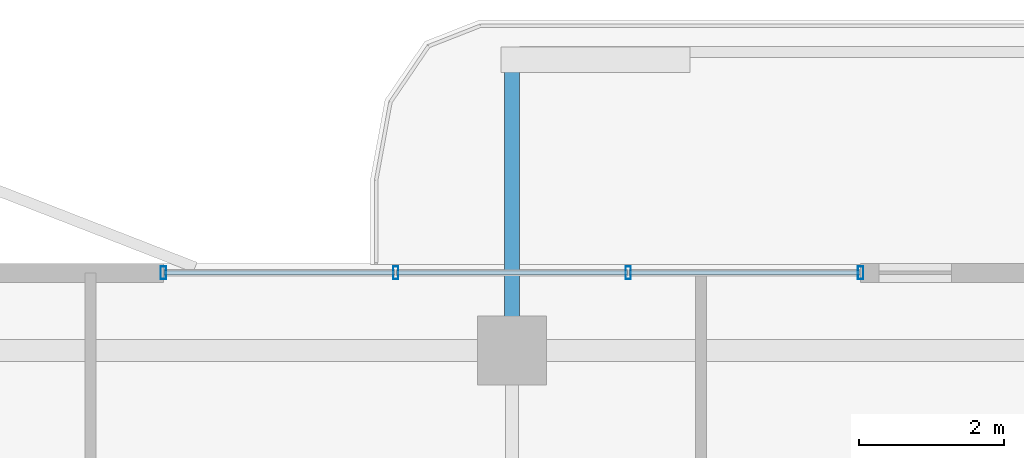
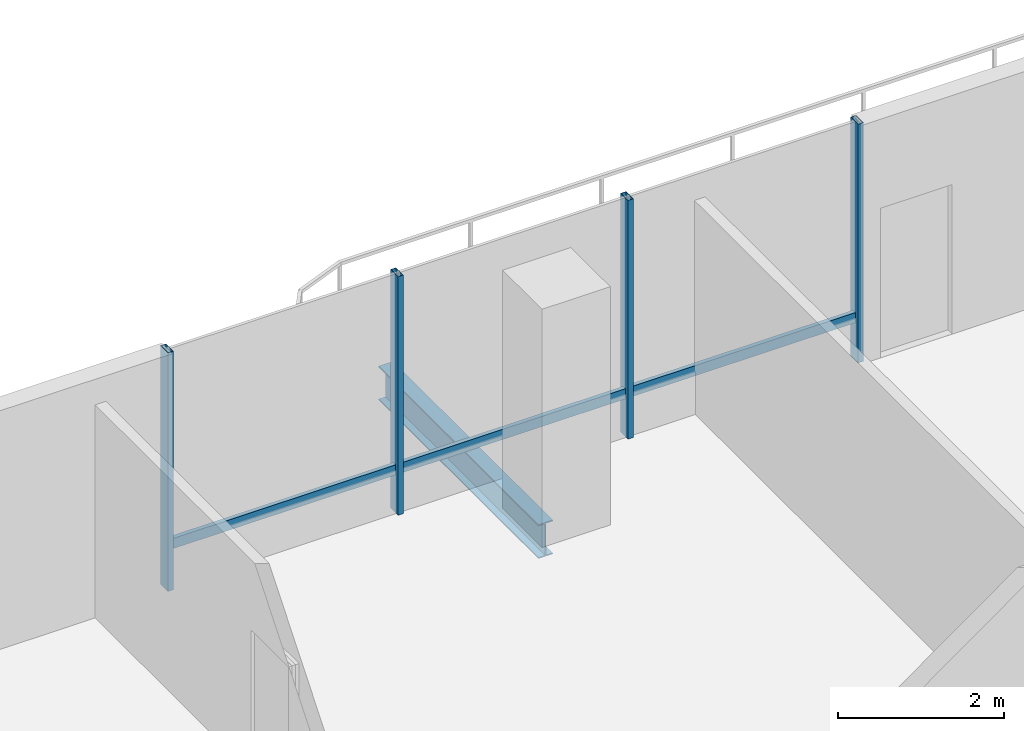
# One storey, part 10 of 17: 7 members, 1 beam, 1 element without a shape of its own.
"""IFC4 building model written with IfcOpenShell, lengths in metres."""

from ifc_helpers import new_model, si_unit, direction, frame, origin, origin_2d, place, context, subcontext, project, spatial, hollow_rectangle, i_section, extrude, material, layer, layer_set, material_profile, profile_set, type_object, element, aggregate, save


model = new_model("IFC4")

# Units and contexts
model_context = context("Model", 3, precision=1e-05, world=origin(), true_north=direction((0.0, 1.0)))
body_context = subcontext(model_context, "Body", "Model", "MODEL_VIEW")
ifc_project = project(units=[si_unit("LENGTHUNIT", "METRE"), si_unit("AREAUNIT", "SQUARE_METRE"), si_unit("VOLUMEUNIT", "CUBIC_METRE"), si_unit("PLANEANGLEUNIT", "RADIAN"), si_unit("MASSUNIT", "GRAM", prefix="KILO")], contexts=[model_context])

# Site, building, storey
site_placement = place(None, origin())
site = spatial("IfcSite", under=ifc_project, at=site_placement, CompositionType="ELEMENT")
building_placement = place(site_placement, origin())
building = spatial("IfcBuilding", under=site, at=building_placement, Name="Belovzor Exchange Tower", CompositionType="ELEMENT")
storey_placement = place(building_placement, frame((0.0, 0.0, 303.0)))
storey = spatial("IfcBuildingStorey", under=building, at=storey_placement, Name="L75", CompositionType="ELEMENT", Elevation=303.0)

# Beam
ifc_material_1 = material(Name="Steel S355", Category="steel")
ifc_material_profile_1 = material_profile(ifc_material_1, i_section(OverallWidth=0.199951171875, OverallDepth=0.5, WebThickness=0.01025390625, FlangeThickness=0.01611328125, at=origin_2d()))
ifc_profile_set_1 = profile_set([ifc_material_profile_1], Name="Steel S355")
beam_type = type_object("IfcBeamType", Name="Planted Balcony Cantilever Beam IPE 500", PredefinedType="BEAM", material=ifc_profile_set_1)
beam_placement = place(storey_placement, frame((28.800048828125, 50.660888671875, -0.489990234375), z_axis=(0.0, 1.0, 0.0), x_axis=(-1.0, 0.0, 0.0)))
element("IfcBeam", 1, at=beam_placement, inside=storey, type_object=beam_type, Name="BC-500 Planted Balcony Cantilever Beam IPE 500", PredefinedType="BEAM", context=body_context, shape_type="SweptSolid", body=[
    extrude(i_section(OverallWidth=0.199951171875, OverallDepth=0.5, WebThickness=0.01025390625, FlangeThickness=0.01611328125, at=origin_2d()), origin(), (0.0, 0.0, 1.0), 3.85009765625),
])

# Curtain wall, members
ifc_material_2 = material(Name="Anodised Aluminium Framing", Category="aluminium")
ifc_layer = layer(ifc_material_2, 0.179931640625)
ifc_layer_set = layer_set([ifc_layer], Name="Anodised Aluminium Framing")
curtain_wall_type = type_object("IfcCurtainWallType", Name="Recessed Loggia Low-Iron Triple-Glazed Curtain Wall", PredefinedType="NOTDEFINED", material=ifc_layer_set)
curtain_wall_placement = place(storey_placement, origin())
curtain_wall = element("IfcCurtainWall", 2, at=curtain_wall_placement, inside=storey, type_object=curtain_wall_type, Name="CW3 Recessed Loggia Low-Iron Triple-Glazed Curtain Wall L75", PredefinedType="NOTDEFINED")
ifc_material_3 = material(Name="Steel S355", Category="steel")
ifc_material_profile_2 = material_profile(ifc_material_3, hollow_rectangle(XDim=0.074951171875, YDim=0.179931640625, WallThickness=0.0048828125, at=origin_2d()))
ifc_profile_set_2 = profile_set([ifc_material_profile_2], Name="Steel S355")
member_type_1 = type_object("IfcMemberType", Name="Thermally Broken Curtain Wall Mullion 180x75", PredefinedType="MULLION", material=ifc_profile_set_2)
member_1_placement = place(storey_placement, frame((24.0, 51.469970703125, 0.0), z_axis=(0.0, 0.0, 1.0), x_axis=(1.0, 0.0, 0.0)))
member_1 = element("IfcMember", 3, at=member_1_placement, type_object=member_type_1, Name="CW-M180 Curtain Wall Mullion 1", PredefinedType="MULLION", context=body_context, shape_type="SweptSolid", body=[
    extrude(hollow_rectangle(XDim=0.074951171875, YDim=0.179931640625, WallThickness=0.0048828125, at=origin_2d()), origin(), (0.0, 0.0, 1.0), 3.510009765625),
])
member_2_placement = place(storey_placement, frame((27.199951171875, 51.469970703125, 0.0), z_axis=(0.0, 0.0, 1.0), x_axis=(1.0, 0.0, 0.0)))
member_2 = element("IfcMember", 4, at=member_2_placement, type_object=member_type_1, Name="CW-M180 Curtain Wall Mullion 2", PredefinedType="MULLION", context=body_context, shape_type="SweptSolid", body=[
    extrude(hollow_rectangle(XDim=0.074951171875, YDim=0.179931640625, WallThickness=0.0048828125, at=origin_2d()), origin(), (0.0, 0.0, 1.0), 3.510009765625),
])
member_3_placement = place(storey_placement, frame((30.39990234375, 51.469970703125, 0.0), z_axis=(0.0, 0.0, 1.0), x_axis=(1.0, 0.0, 0.0)))
member_3 = element("IfcMember", 5, at=member_3_placement, type_object=member_type_1, Name="CW-M180 Curtain Wall Mullion 3", PredefinedType="MULLION", context=body_context, shape_type="SweptSolid", body=[
    extrude(hollow_rectangle(XDim=0.074951171875, YDim=0.179931640625, WallThickness=0.0048828125, at=origin_2d()), origin(), (0.0, 0.0, 1.0), 3.510009765625),
])
member_4_placement = place(storey_placement, frame((33.60009765625, 51.469970703125, 0.0), z_axis=(0.0, 0.0, 1.0), x_axis=(1.0, 0.0, 0.0)))
member_4 = element("IfcMember", 6, at=member_4_placement, type_object=member_type_1, Name="CW-M180 Curtain Wall Mullion 4", PredefinedType="MULLION", context=body_context, shape_type="SweptSolid", body=[
    extrude(hollow_rectangle(XDim=0.074951171875, YDim=0.179931640625, WallThickness=0.0048828125, at=origin_2d()), origin(), (0.0, 0.0, 1.0), 3.510009765625),
])
ifc_material_4 = material(Name="Steel S355", Category="steel")
ifc_material_profile_3 = material_profile(ifc_material_4, hollow_rectangle(XDim=0.06005859375, YDim=0.14990234375, WallThickness=0.00390625, at=origin_2d()))
ifc_profile_set_3 = profile_set([ifc_material_profile_3], Name="Steel S355")
member_type_2 = type_object("IfcMemberType", Name="Thermally Broken Curtain Wall Transom 150x60", PredefinedType="USERDEFINED", material=ifc_profile_set_3)
member_5_placement = place(storey_placement, frame((24.008056640625, 51.469970703125, 0.632080078125), z_axis=(1.0, 0.0, 0.0), x_axis=(0.0, 1.0, 0.0)))
member_5 = element("IfcMember", 7, at=member_5_placement, type_object=member_type_2, Name="CW-T150 Curtain Wall Transom 1", ObjectType="TRANSOM", PredefinedType="USERDEFINED", context=body_context, shape_type="SweptSolid", body=[
    extrude(hollow_rectangle(XDim=0.06005859375, YDim=0.14990234375, WallThickness=0.00390625, at=origin_2d()), origin(), (0.0, 0.0, 1.0), 3.183837890625),
])
member_6_placement = place(storey_placement, frame((27.2080078125, 51.469970703125, 0.632080078125), z_axis=(1.0, 0.0, 0.0), x_axis=(0.0, 1.0, 0.0)))
member_6 = element("IfcMember", 8, at=member_6_placement, type_object=member_type_2, Name="CW-T150 Curtain Wall Transom 2", ObjectType="TRANSOM", PredefinedType="USERDEFINED", context=body_context, shape_type="SweptSolid", body=[
    extrude(hollow_rectangle(XDim=0.06005859375, YDim=0.14990234375, WallThickness=0.00390625, at=origin_2d()), origin(), (0.0, 0.0, 1.0), 3.18408203125),
])
member_7_placement = place(storey_placement, frame((30.407958984375, 51.469970703125, 0.632080078125), z_axis=(1.0, 0.0, 0.0), x_axis=(0.0, 1.0, 0.0)))
member_7 = element("IfcMember", 9, at=member_7_placement, type_object=member_type_2, Name="CW-T150 Curtain Wall Transom 3", ObjectType="TRANSOM", PredefinedType="USERDEFINED", context=body_context, shape_type="SweptSolid", body=[
    extrude(hollow_rectangle(XDim=0.06005859375, YDim=0.14990234375, WallThickness=0.00390625, at=origin_2d()), origin(), (0.0, 0.0, 1.0), 3.18408203125),
])
aggregate(curtain_wall, [member_1, member_2, member_3, member_4, member_5, member_6, member_7])

save(model, "model.ifc")
